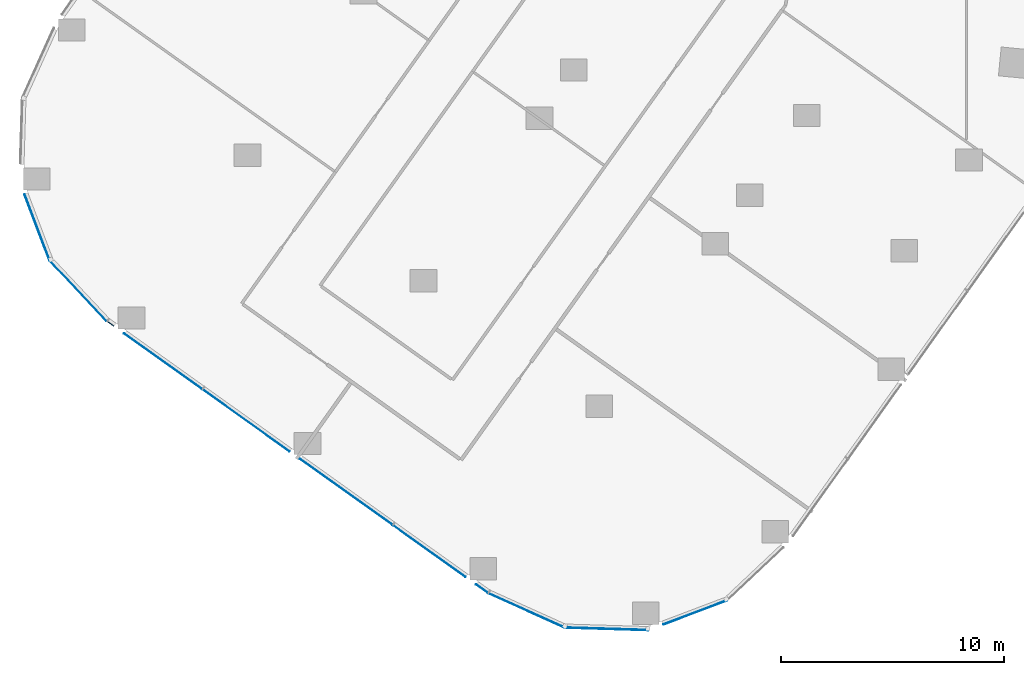
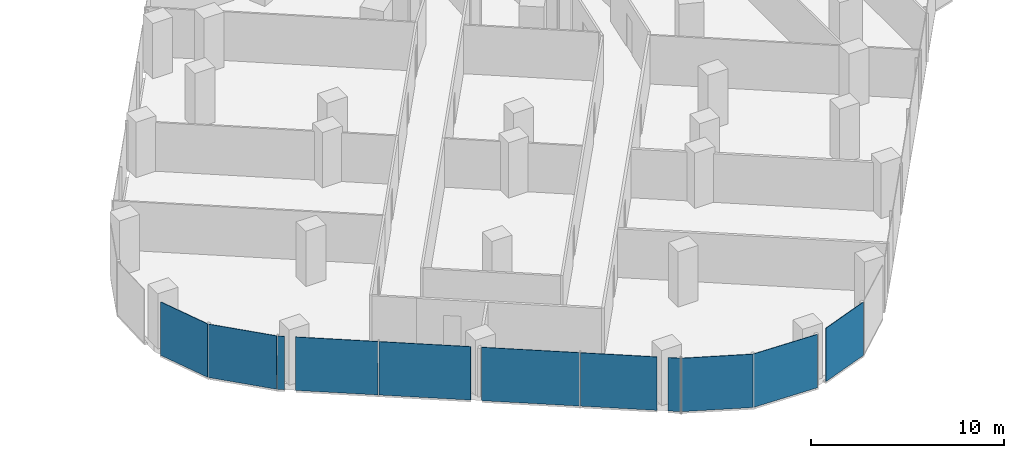
# One storey, part 16 of 31: 11 plates, 6 elements without a shape of their own.
"""IFC4 building model written with IfcOpenShell, lengths in metres."""

from ifc_helpers import new_model, si_unit, direction, frame, origin, origin_2d, place, context, subcontext, project, spatial, rectangle, extrude, material, layer, layer_set, type_object, element, aggregate, save


model = new_model("IFC4")

# Units and contexts
model_context = context("Model", 3, precision=1e-05, world=origin(), true_north=direction((0.0, 1.0)))
body_context = subcontext(model_context, "Body", "Model", "MODEL_VIEW")
ifc_project = project(units=[si_unit("LENGTHUNIT", "METRE"), si_unit("AREAUNIT", "SQUARE_METRE"), si_unit("VOLUMEUNIT", "CUBIC_METRE"), si_unit("PLANEANGLEUNIT", "RADIAN"), si_unit("MASSUNIT", "GRAM", prefix="KILO")], contexts=[model_context])

# Site, building, storey
site_placement = place(None, origin())
site = spatial("IfcSite", under=ifc_project, at=site_placement, CompositionType="ELEMENT")
building_placement = place(site_placement, origin())
building = spatial("IfcBuilding", under=site, at=building_placement, Name="Orlundy Tower", CompositionType="ELEMENT")
storey_placement = place(building_placement, frame((0.0, 0.0, 87.699951171875)))
storey = spatial("IfcBuildingStorey", under=building, at=storey_placement, Name="L21", CompositionType="ELEMENT", Elevation=87.699951171875)

# Curtain wall, plate
ifc_material_1 = material(Name="Aluminium bronze anodised", Category="aluminium")
curtain_wall_type = type_object("IfcCurtainWallType", Name="CW1 wall", PredefinedType="NOTDEFINED", material=ifc_material_1)
curtain_wall_1_placement = place(storey_placement, origin())
curtain_wall_1 = element("IfcCurtainWall", 1, at=curtain_wall_1_placement, inside=storey, type_object=curtain_wall_type, Name="CW1 run 020", PredefinedType="NOTDEFINED")
ifc_material_2 = material(Name="Tinted glass", Category="glass")
ifc_layer = layer(ifc_material_2, 0.031982421875)
ifc_layer_set = layer_set([ifc_layer], Name="CW1 glass panel 32")
plate_type = type_object("IfcPlateType", Name="CW1 glass panel 32", PredefinedType="CURTAIN_PANEL", material=ifc_layer_set)
plate_1_placement = place(storey_placement, frame((-17.37158203125, -56.3564453125, -0.27978515625), z_axis=(0.0, 0.0, 1.0), x_axis=(-0.935182458523, -0.354166301715, 0.0)))
plate_1 = element("IfcPlate", 2, at=plate_1_placement, type_object=plate_type, Name="CW1 panel", PredefinedType="CURTAIN_PANEL", context=body_context, shape_type="SweptSolid", body=[
    extrude(rectangle(XDim=3.052490234375, YDim=0.031982421875, at=origin_2d()), origin(), (0.0, 0.0, 1.0), 3.3798828125),
])
aggregate(curtain_wall_1, [plate_1])

curtain_wall_2_placement = place(storey_placement, origin())
curtain_wall_2 = element("IfcCurtainWall", 3, at=curtain_wall_2_placement, inside=storey, type_object=curtain_wall_type, Name="CW1 run 021", PredefinedType="NOTDEFINED")
plate_2_placement = place(storey_placement, frame((-21.357421875, -57.094482421875, -0.27978515625), z_axis=(0.0, 0.0, 1.0), x_axis=(-0.999535219812, 0.030485149754, 0.0)))
plate_2 = element("IfcPlate", 4, at=plate_2_placement, type_object=plate_type, Name="CW1 panel", PredefinedType="CURTAIN_PANEL", context=body_context, shape_type="SweptSolid", body=[
    extrude(rectangle(XDim=3.77197265625, YDim=0.031982421875, at=origin_2d()), origin(), (0.0, 0.0, 1.0), 3.3798828125),
])
aggregate(curtain_wall_2, [plate_2])

curtain_wall_3_placement = place(storey_placement, origin())
curtain_wall_3 = element("IfcCurtainWall", 5, at=curtain_wall_3_placement, inside=storey, type_object=curtain_wall_type, Name="CW1 run 022", PredefinedType="NOTDEFINED")
plate_3_placement = place(storey_placement, frame((-24.94287109375, -56.2705078125, -0.27978515625), z_axis=(0.0, 0.0, 1.0), x_axis=(-0.911673970719, 0.410914311157, 0.0)))
plate_3 = element("IfcPlate", 6, at=plate_3_placement, type_object=plate_type, Name="CW1 panel", PredefinedType="CURTAIN_PANEL", context=body_context, shape_type="SweptSolid", body=[
    extrude(rectangle(XDim=3.72998046875, YDim=0.031982421875, at=origin_2d()), origin(), (0.0, 0.0, 1.0), 3.3798828125),
])
aggregate(curtain_wall_3, [plate_3])

# Curtain wall, plates
curtain_wall_4_placement = place(storey_placement, origin())
curtain_wall_4 = element("IfcCurtainWall", 7, at=curtain_wall_4_placement, inside=storey, type_object=curtain_wall_type, Name="CW1 run 023", PredefinedType="NOTDEFINED")
plate_4_placement = place(storey_placement, frame((-26.953857421875, -55.28857421875, -0.27978515625), z_axis=(0.0, 0.0, 1.0), x_axis=(-0.814141892545, 0.580665978686, 0.0)))
plate_4 = element("IfcPlate", 8, at=plate_4_placement, type_object=plate_type, Name="CW1 panel", PredefinedType="CURTAIN_PANEL", context=body_context, shape_type="SweptSolid", body=[
    extrude(rectangle(XDim=0.65673828125, YDim=0.031982421875, at=origin_2d()), origin(), (0.0, 0.0, 1.0), 3.3798828125),
])
plate_5_placement = place(storey_placement, frame((-29.31005859375, -53.608154296875, -0.27978515625), z_axis=(0.0, 0.0, 1.0), x_axis=(-0.814141892545, 0.580665978686, 0.0)))
plate_5 = element("IfcPlate", 9, at=plate_5_placement, type_object=plate_type, Name="CW1 panel", PredefinedType="CURTAIN_PANEL", context=body_context, shape_type="SweptSolid", body=[
    extrude(rectangle(XDim=3.987060546875, YDim=0.031982421875, at=origin_2d()), origin(), (0.0, 0.0, 1.0), 3.3798828125),
])
plate_6_placement = place(storey_placement, frame((-33.045654296875, -50.94384765625, -0.27978515625), z_axis=(0.0, 0.0, 1.0), x_axis=(-0.814141892545, 0.580665978686, 0.0)))
plate_6 = element("IfcPlate", 10, at=plate_6_placement, type_object=plate_type, Name="CW1 panel", PredefinedType="CURTAIN_PANEL", context=body_context, shape_type="SweptSolid", body=[
    extrude(rectangle(XDim=5.08984375, YDim=0.031982421875, at=origin_2d()), origin(), (0.0, 0.0, 1.0), 3.3798828125),
])
plate_7_placement = place(storey_placement, frame((-37.53271484375, -47.743408203125, -0.27978515625), z_axis=(0.0, 0.0, 1.0), x_axis=(-0.814141892545, 0.580665978686, 0.0)))
plate_7 = element("IfcPlate", 11, at=plate_7_placement, type_object=plate_type, Name="CW1 panel", PredefinedType="CURTAIN_PANEL", context=body_context, shape_type="SweptSolid", body=[
    extrude(rectangle(XDim=4.787353515625, YDim=0.031982421875, at=origin_2d()), origin(), (0.0, 0.0, 1.0), 3.3798828125),
])
plate_8_placement = place(storey_placement, frame((-41.26904296875, -45.078857421875, -0.27978515625), z_axis=(0.0, 0.0, 1.0), x_axis=(-0.814141892545, 0.580665978686, 0.0)))
plate_8 = element("IfcPlate", 12, at=plate_8_placement, type_object=plate_type, Name="CW1 panel", PredefinedType="CURTAIN_PANEL", context=body_context, shape_type="SweptSolid", body=[
    extrude(rectangle(XDim=4.290771484375, YDim=0.031982421875, at=origin_2d()), origin(), (0.0, 0.0, 1.0), 3.3798828125),
])
plate_9_placement = place(storey_placement, frame((-43.625, -43.3984375, -0.27978515625), z_axis=(0.0, 0.0, 1.0), x_axis=(-0.814141892545, 0.580665978686, 0.0)))
plate_9 = element("IfcPlate", 13, at=plate_9_placement, type_object=plate_type, Name="CW1 panel", PredefinedType="CURTAIN_PANEL", context=body_context, shape_type="SweptSolid", body=[
    extrude(rectangle(XDim=0.353759765625, YDim=0.031982421875, at=origin_2d()), origin(), (0.0, 0.0, 1.0), 3.3798828125),
])
aggregate(curtain_wall_4, [plate_4, plate_5, plate_6, plate_7, plate_8, plate_9])

# Curtain wall, plate
curtain_wall_5_placement = place(storey_placement, origin())
curtain_wall_5 = element("IfcCurtainWall", 14, at=curtain_wall_5_placement, inside=storey, type_object=curtain_wall_type, Name="CW1 run 024", PredefinedType="NOTDEFINED")
plate_10_placement = place(storey_placement, frame((-45.084716796875, -41.904296875, -0.27978515625), z_axis=(0.0, 0.0, 1.0), x_axis=(-0.685196388583, 0.728358365828, 0.0)))
plate_10 = element("IfcPlate", 15, at=plate_10_placement, type_object=plate_type, Name="CW1 panel", PredefinedType="CURTAIN_PANEL", context=body_context, shape_type="SweptSolid", body=[
    extrude(rectangle(XDim=3.730712890625, YDim=0.031982421875, at=origin_2d()), origin(), (0.0, 0.0, 1.0), 3.3798828125),
])
aggregate(curtain_wall_5, [plate_10])

curtain_wall_6_placement = place(storey_placement, origin())
curtain_wall_6 = element("IfcCurtainWall", 16, at=curtain_wall_6_placement, inside=storey, type_object=curtain_wall_type, Name="CW1 run 025", PredefinedType="NOTDEFINED")
plate_11_placement = place(storey_placement, frame((-46.92236328125, -39.068359375, -0.27978515625), z_axis=(0.0, 0.0, 1.0), x_axis=(-0.354166301715, 0.935182458523, 0.0)))
plate_11 = element("IfcPlate", 17, at=plate_11_placement, type_object=plate_type, Name="CW1 panel", PredefinedType="CURTAIN_PANEL", context=body_context, shape_type="SweptSolid", body=[
    extrude(rectangle(XDim=3.159423828125, YDim=0.031982421875, at=origin_2d()), origin(), (0.0, 0.0, 1.0), 3.3798828125),
])
aggregate(curtain_wall_6, [plate_11])

save(model, "model.ifc")
